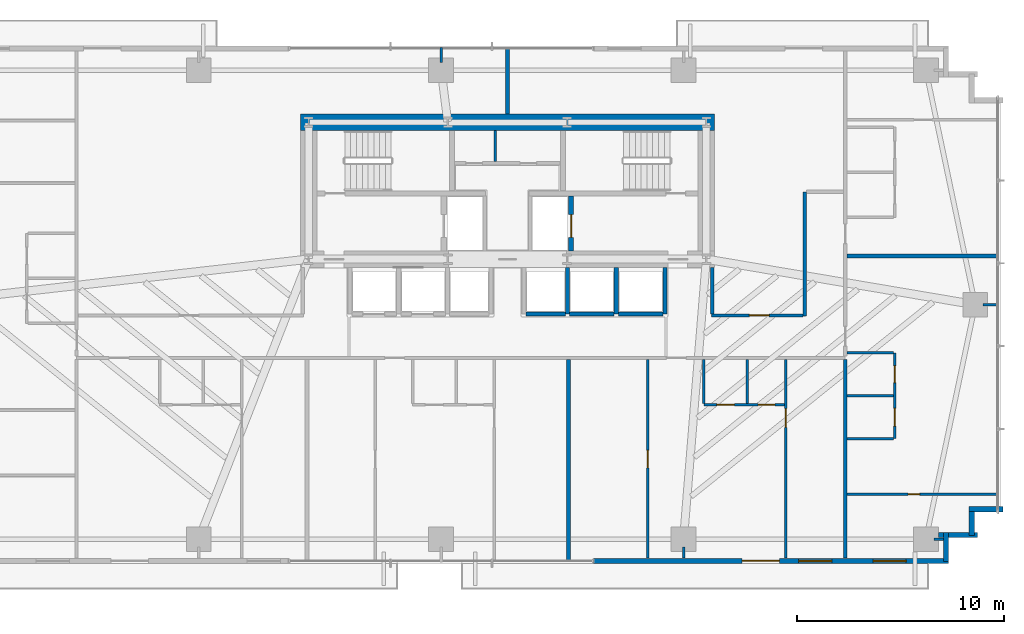
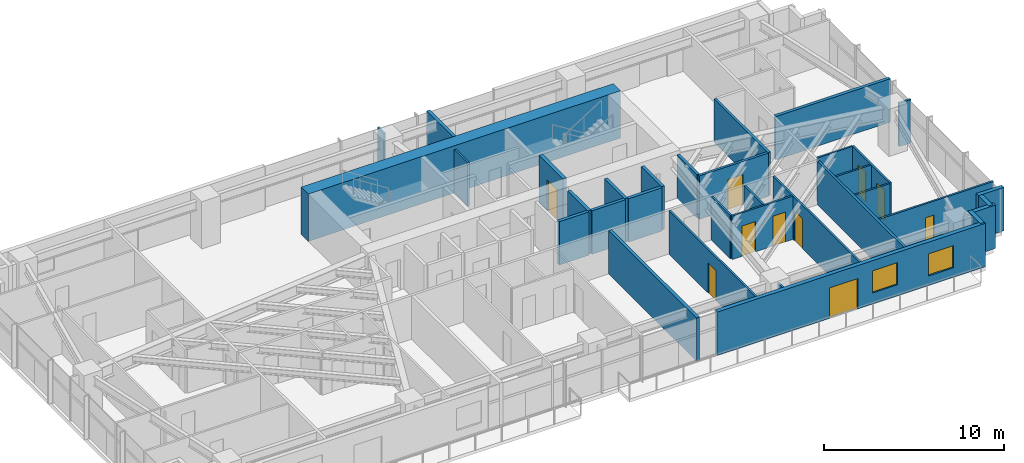
# One storey, part 21 of 25: 35 walls, 10 doors, 2 windows, 12 openings.
"""IFC4 building model written with IfcOpenShell, lengths in metres."""

from ifc_helpers import new_model, si_unit, direction, frame, frame_2d, origin, place, context, subcontext, project, spatial, rectangle, extrude, source, transform, mapped, material, layer, layer_set, type_object, type_shapes, element, fill, save


model = new_model("IFC4")

# Units and contexts
model_context = context("Model", 3, precision=1e-05, world=origin(), true_north=direction((0.0, 1.0)))
body_context = subcontext(model_context, "Body", "Model", "MODEL_VIEW")
ifc_project = project(units=[si_unit("LENGTHUNIT", "METRE"), si_unit("AREAUNIT", "SQUARE_METRE"), si_unit("VOLUMEUNIT", "CUBIC_METRE"), si_unit("PLANEANGLEUNIT", "RADIAN"), si_unit("MASSUNIT", "GRAM", prefix="KILO")], contexts=[model_context])

# Site, building, storey
site_placement = place(None, origin())
site = spatial("IfcSite", under=ifc_project, at=site_placement, CompositionType="ELEMENT")
building_placement = place(site_placement, origin())
building = spatial("IfcBuilding", under=site, at=building_placement, Name="Astriad Promenade Condominiums", CompositionType="ELEMENT")
storey_placement = place(building_placement, frame((0.0, 0.0, 45.39990234375)))
storey = spatial("IfcBuildingStorey", under=building, at=storey_placement, Name="L12", CompositionType="ELEMENT", Elevation=45.39990234375)

# Wall
ifc_material_1 = material(Name="Concrete C80/95", Category="concrete")
ifc_layer_1 = layer(ifc_material_1, 0.800048828125)
ifc_layer_set_1 = layer_set([ifc_layer_1], Name="Concrete C80/95")
wall_type_1 = type_object("IfcWallType", Name="CW-SHEAR-800", PredefinedType="SHEAR", material=ifc_layer_set_1)
wall_1_placement = place(storey_placement, frame((26.0, 24.0, 0.0), z_axis=(0.0, 0.0, 1.0), x_axis=(1.0, 0.0, 0.0)))
element("IfcWall", 1, at=wall_1_placement, inside=storey, type_object=wall_type_1, Name="CW-CORE-N-L12", PredefinedType="SHEAR", context=body_context, shape_type="SweptSolid", body=[
    extrude(rectangle(XDim=20.0, YDim=0.800048828125, at=frame_2d((10.0, 0.0))), origin(), (0.0, 0.0, 1.0), 3.2001953125),
])

# Wall, opening, door
ifc_material_2 = material(Name="Concrete C50/60", Category="concrete")
ifc_layer_2 = layer(ifc_material_2, 0.25)
ifc_layer_set_2 = layer_set([ifc_layer_2], Name="Concrete C50/60")
wall_type_2 = type_object("IfcWallType", Name="WALL-CORE-INT-250", PredefinedType="SOLIDWALL", material=ifc_layer_set_2)
wall_2_placement = place(storey_placement, frame((39.074951171875, 17.802001953125, 0.0), z_axis=(0.0, 0.0, 1.0), x_axis=(0.0, 1.0, 0.0)))
wall_2 = element("IfcWall", 2, at=wall_2_placement, inside=storey, type_object=wall_type_2, Name="CW-FFL2-E-L12", PredefinedType="SOLIDWALL", context=body_context, shape_type="SweptSolid", body=[
    extrude(rectangle(XDim=2.64599609375, YDim=0.25, at=frame_2d((1.322998046875, 0.0))), origin(), (0.0, 0.0, 1.0), 3.2001953125),
])
opening_1_placement = place(wall_2_placement, frame((0.64794921875, 0.0, 0.0)))
opening_1 = element("IfcOpeningElement", 3, at=opening_1_placement, cuts=wall_2, Name="Opening LD-FFL-1122", PredefinedType="OPENING", context=body_context, shape_type="SweptSolid", body=[
    extrude(rectangle(XDim=1.10009765625, YDim=2.080078125, at=frame_2d((0.550048828125, 1.0400390625))), frame((0.0, 0.135009765625, 0.0), z_axis=(0.0, -1.0, 0.0), x_axis=(1.0, 0.0, 0.0)), (0.0, 0.0, 1.0), 0.27001953125),
])
ifc_material_3 = material(Name="Brushed Stainless Steel Fire Elevator Landing Door", Category="steel")
door_type_1 = type_object("IfcDoorType", Name="LD-FFL-1122", OperationType="NOTDEFINED", PredefinedType="DOOR", material=ifc_material_3)
shared_shape_1 = source(origin(), body_context, "Body", "SweptSolid", [
    extrude(rectangle(XDim=1.10009765625, YDim=2.080078125, at=frame_2d((0.550048828125, 1.0400390625))), frame((0.0, 0.02490234375, 0.0), z_axis=(0.0, -1.0, 0.0), x_axis=(1.0, 0.0, 0.0)), (0.0, 0.0, 1.0), 0.050048828125),
])
type_shapes(door_type_1, [shared_shape_1])
door_1_placement = place(opening_1_placement, origin())
door_1 = element("IfcDoor", 4, at=door_1_placement, inside=storey, type_object=door_type_1, Name="Elevator Landing Door FFL-2 (L12)", OperationType="SLIDING_TO_RIGHT", OverallHeight=2.080078125, OverallWidth=1.10009765625, PredefinedType="DOOR", context=body_context, shape_type="MappedRepresentation", body=[
    mapped(shared_shape_1, transform((0.0, 0.0, 0.0), scale=1.0)),
])
fill(opening_1, door_1)

# Walls
ifc_material_4 = material(Name="Fire-Rated Gypsum Partition")
ifc_layer_3 = layer(ifc_material_4, 0.159912109375)
ifc_layer_set_3 = layer_set([ifc_layer_3], Name="Fire-Rated Gypsum Partition")
wall_type_3 = type_object("IfcWallType", Name="WALL-CORR-160", PredefinedType="PARTITIONING", material=ifc_layer_set_3)
wall_3_placement = place(storey_placement, frame((52.300048828125, 2.9619140625, 0.0), z_axis=(0.0, 0.0, 1.0), x_axis=(0.0, 1.0, 0.0)))
element("IfcWall", 5, at=wall_3_placement, inside=storey, type_object=wall_type_3, Name="PT-COR-E-L12", PredefinedType="PARTITIONING", context=body_context, shape_type="SweptSolid", body=[
    extrude(rectangle(XDim=9.586181640625, YDim=0.159912109375, at=frame_2d((4.79296875, 0.0))), origin(), (0.0, 0.0, 1.0), 2.940185546875),
])
wall_4_placement = place(storey_placement, frame((50.35009765625, 14.659912109375, 0.0), z_axis=(0.0, 0.0, 1.0), x_axis=(0.0, 1.0, 0.0)))
element("IfcWall", 6, at=wall_4_placement, inside=storey, type_object=wall_type_3, Name="PT-EALC-W-L12", PredefinedType="PARTITIONING", context=body_context, shape_type="SweptSolid", body=[
    extrude(rectangle(XDim=5.989990234375, YDim=0.159912109375, at=frame_2d((2.9951171875, 0.0))), origin(), (0.0, 0.0, 1.0), 2.940185546875),
])

# Wall, opening, door
wall_5_placement = place(storey_placement, frame((45.840087890625, 14.679931640625, 0.0), z_axis=(0.0, 0.0, 1.0), x_axis=(1.0, 0.0, 0.0)))
wall_5 = element("IfcWall", 7, at=wall_5_placement, inside=storey, type_object=wall_type_3, Name="PT-FLK-NE-L12", PredefinedType="PARTITIONING", context=body_context, shape_type="SweptSolid", body=[
    extrude(rectangle(XDim=4.427978515625, YDim=0.159912109375, at=frame_2d((2.2138671875, 0.0))), origin(), (0.0, 0.0, 1.0), 2.940185546875),
])
opening_2_placement = place(wall_5_placement, frame((1.840087890625, 0.0, 0.0)))
opening_2 = element("IfcOpeningElement", 8, at=opening_2_placement, cuts=wall_5, Name="Opening FD60-APT-095", PredefinedType="OPENING", context=body_context, shape_type="SweptSolid", body=[
    extrude(rectangle(XDim=0.949951171875, YDim=2.06005859375, at=frame_2d((0.47509765625, 1.030029296875))), frame((0.0, 0.08984375, 0.0), z_axis=(0.0, -1.0, 0.0), x_axis=(1.0, 0.0, 0.0)), (0.0, 0.0, 1.0), 0.179931640625),
])
ifc_material_5 = material(Name="Solid-Core Acoustic Timber Residence Entry Door", Category="wood")
door_type_2 = type_object("IfcDoorType", Name="FD60-APT-095", OperationType="NOTDEFINED", PredefinedType="DOOR", material=ifc_material_5)
shared_shape_2 = source(origin(), body_context, "Body", "SweptSolid", [
    extrude(rectangle(XDim=0.949951171875, YDim=2.06005859375, at=frame_2d((0.47509765625, 1.030029296875))), frame((0.0, 0.02490234375, 0.0), z_axis=(0.0, -1.0, 0.0), x_axis=(1.0, 0.0, 0.0)), (0.0, 0.0, 1.0), 0.050048828125),
])
type_shapes(door_type_2, [shared_shape_2])
door_2_placement = place(opening_2_placement, origin())
door_2 = element("IfcDoor", 9, at=door_2_placement, inside=storey, type_object=door_type_2, Name="D-NEA-L12", OperationType="SINGLE_SWING_RIGHT", OverallHeight=2.06005859375, OverallWidth=0.949951171875, PredefinedType="DOOR", context=body_context, shape_type="MappedRepresentation", body=[
    mapped(shared_shape_2, transform((0.0, 0.0, 0.0), scale=1.0)),
])
fill(opening_2, door_2)

# Walls
wall_6_placement = place(storey_placement, frame((45.8798828125, 14.761962890625, 0.0), z_axis=(0.0, 0.0, 1.0), x_axis=(0.0, 1.0, 0.0)))
element("IfcWall", 10, at=wall_6_placement, inside=storey, type_object=wall_type_3, Name="PT-ESPUR-E-L12", PredefinedType="PARTITIONING", context=body_context, shape_type="SweptSolid", body=[
    extrude(rectangle(XDim=2.236083984375, YDim=0.159912109375, at=frame_2d((1.1181640625, 0.0))), origin(), (0.0, 0.0, 1.0), 2.940185546875),
])
ifc_material_6 = material(Name="Acoustic Double-Stud Gypsum Partition")
ifc_layer_4 = layer(ifc_material_6, 0.199951171875)
ifc_layer_set_4 = layer_set([ifc_layer_4], Name="Acoustic Double-Stud Gypsum Partition")
wall_type_4 = type_object("IfcWallType", Name="WALL-DEMISING-200", PredefinedType="PARTITIONING", material=ifc_layer_set_4)
wall_7_placement = place(storey_placement, frame((36.0, 24.402099609375, 0.0), z_axis=(0.0, 0.0, 1.0), x_axis=(0.0, 1.0, 0.0)))
element("IfcWall", 11, at=wall_7_placement, inside=storey, type_object=wall_type_4, Name="PT-NC-MID-L12", PredefinedType="PARTITIONING", context=body_context, shape_type="SweptSolid", body=[
    extrude(rectangle(XDim=3.218017578125, YDim=0.199951171875, at=frame_2d((1.60888671875, 0.0))), origin(), (0.0, 0.0, 1.0), 2.940185546875),
])
wall_8_placement = place(storey_placement, frame((38.944091796875, 2.780029296875, 0.0), z_axis=(0.0, 0.0, 1.0), x_axis=(0.0, 1.0, 0.0)))
element("IfcWall", 12, at=wall_8_placement, inside=storey, type_object=wall_type_4, Name="PT-DEM-S2-L12", PredefinedType="PARTITIONING", context=body_context, shape_type="SweptSolid", body=[
    extrude(rectangle(XDim=9.76806640625, YDim=0.199951171875, at=frame_2d((4.884033203125, 0.0))), origin(), (0.0, 0.0, 1.0), 2.940185546875),
])
wall_9_placement = place(storey_placement, frame((52.382080078125, 17.550048828125, 0.0), z_axis=(0.0, 0.0, 1.0), x_axis=(1.0, 0.0, 0.0)))
element("IfcWall", 13, at=wall_9_placement, inside=storey, type_object=wall_type_4, Name="PT-DEM-EE-L12", PredefinedType="PARTITIONING", context=body_context, shape_type="SweptSolid", body=[
    extrude(rectangle(XDim=7.337890625, YDim=0.199951171875, at=frame_2d((3.6689453125, 0.0))), origin(), (0.0, 0.0, 1.0), 2.940185546875),
])
ifc_material_7 = material(Name="Precast concrete C50/60", Category="concrete")
ifc_layer_5 = layer(ifc_material_7, 0.260009765625)
ifc_layer_set_5 = layer_set([ifc_layer_5], Name="Precast concrete C50/60")
wall_type_5 = type_object("IfcWallType", Name="WALL-EXT-TWR-260", PredefinedType="STANDARD", material=ifc_layer_set_5)
wall_10_placement = place(storey_placement, frame((59.929931640625, 5.330078125, 0.0), z_axis=(0.0, 0.0, 1.0), x_axis=(-1.0, 0.0, 0.0)))
element("IfcWall", 14, at=wall_10_placement, inside=storey, type_object=wall_type_5, Name="W-SER-L12-14", PredefinedType="STANDARD", context=body_context, shape_type="SweptSolid", body=[
    extrude(rectangle(XDim=1.639892578125, YDim=0.260009765625, at=frame_2d((0.81982421875, 0.0))), origin(), (0.0, 0.0, 1.0), 2.940185546875),
])
wall_11_placement = place(storey_placement, frame((58.419921875, 5.215087890625, 0.0), z_axis=(0.0, 0.0, 1.0), x_axis=(0.0, -1.0, 0.0)))
element("IfcWall", 15, at=wall_11_placement, inside=storey, type_object=wall_type_5, Name="W-SER-L12-15", PredefinedType="STANDARD", context=body_context, shape_type="SweptSolid", body=[
    extrude(rectangle(XDim=1.150146484375, YDim=0.260009765625, at=frame_2d((0.5751953125, 0.0))), origin(), (0.0, 0.0, 1.0), 2.940185546875),
])
wall_12_placement = place(storey_placement, frame((58.679931640625, 4.080078125, 0.0), z_axis=(0.0, 0.0, 1.0), x_axis=(-1.0, 0.0, 0.0)))
element("IfcWall", 16, at=wall_12_placement, inside=storey, type_object=wall_type_5, Name="W-SER-L12-16", PredefinedType="STANDARD", context=body_context, shape_type="SweptSolid", body=[
    extrude(rectangle(XDim=1.8779296875, YDim=0.260009765625, at=frame_2d((0.93896484375, 0.0))), origin(), (0.0, 0.0, 1.0), 2.940185546875),
])
wall_13_placement = place(storey_placement, frame((57.169921875, 4.2099609375, 0.0), z_axis=(0.0, 0.0, 1.0), x_axis=(0.0, -1.0, 0.0)))
element("IfcWall", 17, at=wall_13_placement, inside=storey, type_object=wall_type_5, Name="W-SER-L12-17", PredefinedType="STANDARD", context=body_context, shape_type="SweptSolid", body=[
    extrude(rectangle(XDim=1.39501953125, YDim=0.260009765625, at=frame_2d((0.697509765625, 0.0))), origin(), (0.0, 0.0, 1.0), 2.940185546875),
])

# Wall, openings, door, windows
wall_14_placement = place(storey_placement, frame((57.300048828125, 2.830078125, 0.0), z_axis=(0.0, 0.0, 1.0), x_axis=(-1.0, 0.0, 0.0)))
wall_14 = element("IfcWall", 18, at=wall_14_placement, inside=storey, type_object=wall_type_5, Name="W-EXT-L12-S1", PredefinedType="STANDARD", context=body_context, shape_type="SweptSolid", body=[
    extrude(rectangle(XDim=17.150146484375, YDim=0.260009765625, at=frame_2d((8.5751953125, 0.0))), origin(), (0.0, 0.0, 1.0), 2.940185546875),
])
opening_3_placement = place(wall_14_placement, frame((8.177001953125, 0.0, 0.0)))
opening_3 = element("IfcOpeningElement", 19, at=opening_3_placement, cuts=wall_14, Name="Opening BD-1822-SLD", PredefinedType="OPENING", context=body_context, shape_type="SweptSolid", body=[
    extrude(rectangle(XDim=1.800048828125, YDim=2.06005859375, at=frame_2d((0.89990234375, 1.030029296875))), frame((0.0, 0.139892578125, 0.0), z_axis=(0.0, -1.0, 0.0), x_axis=(1.0, 0.0, 0.0)), (0.0, 0.0, 1.0), 0.280029296875),
])
opening_4_placement = place(wall_14_placement, frame((2.050048828125, 0.0, 0.64990234375)))
opening_4 = element("IfcOpeningElement", 20, at=opening_4_placement, cuts=wall_14, Name="Opening WIN-TWR-1620", PredefinedType="OPENING", context=body_context, shape_type="SweptSolid", body=[
    extrude(rectangle(XDim=1.60009765625, YDim=1.5, at=frame_2d((0.800048828125, 0.75))), frame((0.0, 0.139892578125, 0.0), z_axis=(0.0, -1.0, 0.0), x_axis=(1.0, 0.0, 0.0)), (0.0, 0.0, 1.0), 0.280029296875),
])
opening_5_placement = place(wall_14_placement, frame((5.64404296875, 0.0, 0.75)))
opening_5 = element("IfcOpeningElement", 21, at=opening_5_placement, cuts=wall_14, Name="Opening WIN-TWR-1620", PredefinedType="OPENING", context=body_context, shape_type="SweptSolid", body=[
    extrude(rectangle(XDim=1.60009765625, YDim=1.5, at=frame_2d((0.800048828125, 0.75))), frame((0.0, 0.139892578125, 0.0), z_axis=(0.0, -1.0, 0.0), x_axis=(1.0, 0.0, 0.0)), (0.0, 0.0, 1.0), 0.280029296875),
])
ifc_material_8 = material(Name="Thermally Broken Aluminium Sliding Balcony Door", Category="aluminium")
door_type_3 = type_object("IfcDoorType", Name="BD-1822-SLD", OperationType="NOTDEFINED", PredefinedType="DOOR", material=ifc_material_8)
shared_shape_3 = source(origin(), body_context, "Body", "SweptSolid", [
    extrude(rectangle(XDim=1.800048828125, YDim=2.06005859375, at=frame_2d((0.89990234375, 1.030029296875))), frame((0.0, 0.02490234375, 0.0), z_axis=(0.0, -1.0, 0.0), x_axis=(1.0, 0.0, 0.0)), (0.0, 0.0, 1.0), 0.050048828125),
])
type_shapes(door_type_3, [shared_shape_3])
door_3_placement = place(opening_3_placement, origin())
door_3 = element("IfcDoor", 22, at=door_3_placement, inside=storey, type_object=door_type_3, Name="BD-L12-SE", OperationType="SLIDING_TO_RIGHT", OverallHeight=2.06005859375, OverallWidth=1.800048828125, PredefinedType="DOOR", context=body_context, shape_type="MappedRepresentation", body=[
    mapped(shared_shape_3, transform((0.0, 0.0, 0.0), scale=1.0)),
])
fill(opening_3, door_3)
ifc_material_9 = material(Name="Dark Tinted Triple-Glazed Aluminium Window", Category="aluminium")
window_type = type_object("IfcWindowType", Name="WIN-TWR-1620", PartitioningType="SINGLE_PANEL", PredefinedType="WINDOW", material=ifc_material_9)
shared_shape_4 = source(origin(), body_context, "Body", "SweptSolid", [
    extrude(rectangle(XDim=1.60009765625, YDim=1.5, at=frame_2d((0.800048828125, 0.75))), frame((0.0, 0.030029296875, 0.0), z_axis=(0.0, -1.0, 0.0), x_axis=(1.0, 0.0, 0.0)), (0.0, 0.0, 1.0), 0.06005859375),
])
type_shapes(window_type, [shared_shape_4])
window_1_placement = place(opening_4_placement, origin())
window_1 = element("IfcWindow", 23, at=window_1_placement, inside=storey, type_object=window_type, Name="WIN-L12-SE", OverallHeight=1.5, OverallWidth=1.60009765625, PartitioningType="SINGLE_PANEL", PredefinedType="WINDOW", context=body_context, shape_type="MappedRepresentation", body=[
    mapped(shared_shape_4, transform((0.0, 0.0, 0.0), scale=1.0)),
])
fill(opening_4, window_1)
window_2_placement = place(opening_5_placement, origin())
window_2 = element("IfcWindow", 24, at=window_2_placement, inside=storey, type_object=window_type, Name="WIN-DW-L12-S3-BD1", OverallHeight=1.5, OverallWidth=1.60009765625, PartitioningType="SINGLE_PANEL", PredefinedType="WINDOW", context=body_context, shape_type="MappedRepresentation", body=[
    mapped(shared_shape_4, transform((0.0, 0.0, 0.0), scale=1.0)),
])
fill(opening_5, window_2)

# Wall
ifc_material_10 = material(Name="Acoustic Metal-Stud Gypsum Partition")
ifc_layer_6 = layer(ifc_material_10, 0.1201171875)
ifc_layer_set_6 = layer_set([ifc_layer_6], Name="Acoustic Metal-Stud Gypsum Partition")
wall_type_6 = type_object("IfcWallType", Name="WALL-PART-120", PredefinedType="PARTITIONING", material=ifc_layer_set_6)
wall_15_placement = place(storey_placement, frame((35.39990234375, 22.112060546875, 0.0), z_axis=(0.0, 0.0, 1.0), x_axis=(0.0, 1.0, 0.0)))
element("IfcWall", 25, at=wall_15_placement, inside=storey, type_object=wall_type_6, Name="CW-AUX-V1-L12", PredefinedType="PARTITIONING", context=body_context, shape_type="SweptSolid", body=[
    extrude(rectangle(XDim=1.48583984375, YDim=0.1201171875, at=frame_2d((0.742919921875, 0.0))), origin(), (0.0, 0.0, 1.0), 2.940185546875),
])

# Wall, opening, door
wall_16_placement = place(storey_placement, frame((49.430908203125, 2.9619140625, 0.0), z_axis=(0.0, 0.0, 1.0), x_axis=(0.0, 1.0, 0.0)))
wall_16 = element("IfcWall", 26, at=wall_16_placement, inside=storey, type_object=wall_type_6, Name="PT-L12-S3-BD1", PredefinedType="PARTITIONING", context=body_context, shape_type="SweptSolid", body=[
    extrude(rectangle(XDim=9.586181640625, YDim=0.1201171875, at=frame_2d((4.79296875, 0.0))), origin(), (0.0, 0.0, 1.0), 2.940185546875),
])
opening_6_placement = place(wall_16_placement, frame((6.318115234375, 0.0, 0.0)))
opening_6 = element("IfcOpeningElement", 27, at=opening_6_placement, cuts=wall_16, Name="Opening D-INT-090", PredefinedType="OPENING", context=body_context, shape_type="SweptSolid", body=[
    extrude(rectangle(XDim=0.89990234375, YDim=2.050048828125, at=frame_2d((0.449951171875, 1.02490234375))), frame((0.0, 0.070068359375, 0.0), z_axis=(0.0, -1.0, 0.0), x_axis=(1.0, 0.0, 0.0)), (0.0, 0.0, 1.0), 0.14013671875),
])
ifc_material_11 = material(Name="Painted Solid-Core Timber Bedroom Door", Category="wood")
door_type_4 = type_object("IfcDoorType", Name="D-INT-090", OperationType="NOTDEFINED", PredefinedType="DOOR", material=ifc_material_11)
shared_shape_5 = source(origin(), body_context, "Body", "SweptSolid", [
    extrude(rectangle(XDim=0.89990234375, YDim=2.050048828125, at=frame_2d((0.449951171875, 1.02490234375))), frame((0.0, 0.02490234375, 0.0), z_axis=(0.0, -1.0, 0.0), x_axis=(1.0, 0.0, 0.0)), (0.0, 0.0, 1.0), 0.050048828125),
])
type_shapes(door_type_4, [shared_shape_5])
door_4_placement = place(opening_6_placement, origin())
door_4 = element("IfcDoor", 28, at=door_4_placement, inside=storey, type_object=door_type_4, Name="D-BD1-L12-S3", OperationType="SINGLE_SWING_RIGHT", OverallHeight=2.050048828125, OverallWidth=0.89990234375, PredefinedType="DOOR", context=body_context, shape_type="MappedRepresentation", body=[
    mapped(shared_shape_5, transform((0.0, 0.0, 0.0), scale=1.0)),
])
fill(opening_6, door_4)

# Wall, openings, doors
wall_17_placement = place(storey_placement, frame((45.48095703125, 10.3798828125, 0.0), z_axis=(0.0, 0.0, 1.0), x_axis=(1.0, 0.0, 0.0)))
wall_17 = element("IfcWall", 29, at=wall_17_placement, inside=storey, type_object=wall_type_6, Name="PT-L12-S3-PS", PredefinedType="PARTITIONING", context=body_context, shape_type="SweptSolid", body=[
    extrude(rectangle(XDim=3.887939453125, YDim=0.1201171875, at=frame_2d((1.94384765625, 0.0))), origin(), (0.0, 0.0, 1.0), 2.940185546875),
])
opening_7_placement = place(wall_17_placement, frame((0.625, 0.0, 0.0)))
opening_7 = element("IfcOpeningElement", 30, at=opening_7_placement, cuts=wall_17, Name="Opening D-INT-085", PredefinedType="OPENING", context=body_context, shape_type="SweptSolid", body=[
    extrude(rectangle(XDim=0.85009765625, YDim=2.050048828125, at=frame_2d((0.425048828125, 1.02490234375))), frame((0.0, 0.070068359375, 0.0), z_axis=(0.0, -1.0, 0.0), x_axis=(1.0, 0.0, 0.0)), (0.0, 0.0, 1.0), 0.14013671875),
])
opening_8_placement = place(wall_17_placement, frame((2.625, 0.0, 0.0)))
opening_8 = element("IfcOpeningElement", 31, at=opening_8_placement, cuts=wall_17, Name="Opening D-WET-080", PredefinedType="OPENING", context=body_context, shape_type="SweptSolid", body=[
    extrude(rectangle(XDim=0.800048828125, YDim=2.02001953125, at=frame_2d((0.39990234375, 1.010009765625))), frame((0.0, 0.070068359375, 0.0), z_axis=(0.0, -1.0, 0.0), x_axis=(1.0, 0.0, 0.0)), (0.0, 0.0, 1.0), 0.14013671875),
])
ifc_material_12 = material(Name="Moisture-Resistant Timber Bathroom Door", Category="wood")
door_type_5 = type_object("IfcDoorType", Name="D-WET-080", OperationType="NOTDEFINED", PredefinedType="DOOR", material=ifc_material_12)
shared_shape_6 = source(origin(), body_context, "Body", "SweptSolid", [
    extrude(rectangle(XDim=0.800048828125, YDim=2.02001953125, at=frame_2d((0.39990234375, 1.010009765625))), frame((0.0, 0.02490234375, 0.0), z_axis=(0.0, -1.0, 0.0), x_axis=(1.0, 0.0, 0.0)), (0.0, 0.0, 1.0), 0.050048828125),
])
type_shapes(door_type_5, [shared_shape_6])
door_5_placement = place(opening_8_placement, origin())
door_5 = element("IfcDoor", 32, at=door_5_placement, inside=storey, type_object=door_type_5, Name="D-BTH-L12-S3", OperationType="SINGLE_SWING_RIGHT", OverallHeight=2.02001953125, OverallWidth=0.800048828125, PredefinedType="DOOR", context=body_context, shape_type="MappedRepresentation", body=[
    mapped(shared_shape_6, transform((0.0, 0.0, 0.0), scale=1.0)),
])
fill(opening_8, door_5)
ifc_material_13 = material(Name="Painted Solid-Core Timber Room Door", Category="wood")
door_type_6 = type_object("IfcDoorType", Name="D-INT-085", OperationType="NOTDEFINED", PredefinedType="DOOR", material=ifc_material_13)
shared_shape_7 = source(origin(), body_context, "Body", "SweptSolid", [
    extrude(rectangle(XDim=0.85009765625, YDim=2.050048828125, at=frame_2d((0.425048828125, 1.02490234375))), frame((0.0, 0.02490234375, 0.0), z_axis=(0.0, -1.0, 0.0), x_axis=(1.0, 0.0, 0.0)), (0.0, 0.0, 1.0), 0.050048828125),
])
type_shapes(door_type_6, [shared_shape_7])
door_6_placement = place(opening_7_placement, origin())
door_6 = element("IfcDoor", 33, at=door_6_placement, inside=storey, type_object=door_type_6, Name="D-KIT-L12-S3", OperationType="SINGLE_SWING_LEFT", OverallHeight=2.050048828125, OverallWidth=0.85009765625, PredefinedType="DOOR", context=body_context, shape_type="MappedRepresentation", body=[
    mapped(shared_shape_7, transform((0.0, 0.0, 0.0), scale=1.0)),
])
fill(opening_7, door_6)

# Walls
for number, where, z_axis, x_axis, name in (
    (34, (47.5810546875, 10.44189453125, 0.0), (0.0, 0.0, 1.0), (0.0, 1.0, 0.0), "PT-L12-S3-PBK"),
    (35, (45.48095703125, 10.44189453125, 0.0), (0.0, 0.0, 1.0), (0.0, 1.0, 0.0), "PT-L12-S3-PKW"),
):
    element("IfcWall", number, at=place(storey_placement, frame(where, z_axis=z_axis, x_axis=x_axis)), inside=storey, type_object=wall_type_6, Name=name, PredefinedType="PARTITIONING", context=body_context, shape_type="SweptSolid", body=[
        extrude(rectangle(XDim=2.106201171875, YDim=0.1201171875, at=frame_2d((1.05322265625, 0.0))), origin(), (0.0, 0.0, 1.0), 2.940185546875),
    ])

# Wall, opening, door
wall_18_placement = place(storey_placement, frame((42.761962890625, 2.9619140625, 0.0), z_axis=(0.0, 0.0, 1.0), x_axis=(0.0, 1.0, 0.0)))
wall_18 = element("IfcWall", 36, at=wall_18_placement, inside=storey, type_object=wall_type_6, Name="PT-L12-S3-CAP1", PredefinedType="PARTITIONING", context=body_context, shape_type="SweptSolid", body=[
    extrude(rectangle(XDim=9.586181640625, YDim=0.1201171875, at=frame_2d((4.79296875, 0.0))), origin(), (0.0, 0.0, 1.0), 2.940185546875),
])
opening_9_placement = place(wall_18_placement, frame((4.35791015625, 0.0, 0.0)))
opening_9 = element("IfcOpeningElement", 37, at=opening_9_placement, cuts=wall_18, Name="Opening D-INT-085", PredefinedType="OPENING", context=body_context, shape_type="SweptSolid", body=[
    extrude(rectangle(XDim=0.85009765625, YDim=2.050048828125, at=frame_2d((0.425048828125, 1.02490234375))), frame((0.0, 0.070068359375, 0.0), z_axis=(0.0, -1.0, 0.0), x_axis=(1.0, 0.0, 0.0)), (0.0, 0.0, 1.0), 0.14013671875),
])
door_7_placement = place(opening_9_placement, origin())
door_7 = element("IfcDoor", 38, at=door_7_placement, inside=storey, type_object=door_type_6, Name="D-CAP1-L12-S3", OperationType="SINGLE_SWING_RIGHT", OverallHeight=2.050048828125, OverallWidth=0.85009765625, PredefinedType="DOOR", context=body_context, shape_type="MappedRepresentation", body=[
    mapped(shared_shape_7, transform((0.0, 0.0, 0.0), scale=1.0)),
])
fill(opening_9, door_7)

# Wall, openings, doors
wall_19_placement = place(storey_placement, frame((54.699951171875, 8.72998046875, 0.0), z_axis=(0.0, 0.0, 1.0), x_axis=(0.0, 1.0, 0.0)))
wall_19 = element("IfcWall", 39, at=wall_19_placement, inside=storey, type_object=wall_type_6, Name="PT-L12-E1-PV", PredefinedType="PARTITIONING", context=body_context, shape_type="SweptSolid", body=[
    extrude(rectangle(XDim=4.14990234375, YDim=0.1201171875, at=frame_2d((2.074951171875, 0.0))), origin(), (0.0, 0.0, 1.0), 2.940185546875),
])
opening_10_placement = place(wall_19_placement, frame((0.613037109375, 0.0, 0.0)))
opening_10 = element("IfcOpeningElement", 40, at=opening_10_placement, cuts=wall_19, Name="Opening D-INT-085", PredefinedType="OPENING", context=body_context, shape_type="SweptSolid", body=[
    extrude(rectangle(XDim=0.85009765625, YDim=2.050048828125, at=frame_2d((0.425048828125, 1.02490234375))), frame((0.0, 0.070068359375, 0.0), z_axis=(0.0, -1.0, 0.0), x_axis=(1.0, 0.0, 0.0)), (0.0, 0.0, 1.0), 0.14013671875),
])
opening_11_placement = place(wall_19_placement, frame((2.712890625, 0.0, 0.0)))
opening_11 = element("IfcOpeningElement", 41, at=opening_11_placement, cuts=wall_19, Name="Opening D-WET-080", PredefinedType="OPENING", context=body_context, shape_type="SweptSolid", body=[
    extrude(rectangle(XDim=0.800048828125, YDim=2.02001953125, at=frame_2d((0.39990234375, 1.010009765625))), frame((0.0, 0.070068359375, 0.0), z_axis=(0.0, -1.0, 0.0), x_axis=(1.0, 0.0, 0.0)), (0.0, 0.0, 1.0), 0.14013671875),
])
door_8_placement = place(opening_11_placement, origin())
door_8 = element("IfcDoor", 42, at=door_8_placement, inside=storey, type_object=door_type_5, Name="D-BTH-L12-E1", OperationType="SINGLE_SWING_LEFT", OverallHeight=2.02001953125, OverallWidth=0.800048828125, PredefinedType="DOOR", context=body_context, shape_type="MappedRepresentation", body=[
    mapped(shared_shape_6, transform((0.0, 0.0, 0.0), scale=1.0)),
])
fill(opening_11, door_8)
door_9_placement = place(opening_10_placement, origin())
door_9 = element("IfcDoor", 43, at=door_9_placement, inside=storey, type_object=door_type_6, Name="D-KIT-L12-E1", OperationType="SINGLE_SWING_RIGHT", OverallHeight=2.050048828125, OverallWidth=0.85009765625, PredefinedType="DOOR", context=body_context, shape_type="MappedRepresentation", body=[
    mapped(shared_shape_7, transform((0.0, 0.0, 0.0), scale=1.0)),
])
fill(opening_10, door_9)

# Walls
for number, where, z_axis, x_axis, name in (
    (44, (52.382080078125, 10.804931640625, 0.0), (0.0, 0.0, 1.0), (1.0, 0.0, 0.0), "PT-L12-E1-PM"),
    (45, (52.382080078125, 8.72998046875, 0.0), (0.0, 0.0, 1.0), (1.0, 0.0, 0.0), "PT-L12-E1-PS"),
    (46, (52.382080078125, 12.8798828125, 0.0), (0.0, 0.0, 1.0), (1.0, 0.0, 0.0), "PT-L12-E1-PN"),
):
    element("IfcWall", number, at=place(storey_placement, frame(where, z_axis=z_axis, x_axis=x_axis)), inside=storey, type_object=wall_type_6, Name=name, PredefinedType="PARTITIONING", context=body_context, shape_type="SweptSolid", body=[
        extrude(rectangle(XDim=2.255859375, YDim=0.1201171875, at=frame_2d((1.1279296875, 0.0))), origin(), (0.0, 0.0, 1.0), 2.940185546875),
    ])

# Wall, opening, door
wall_20_placement = place(storey_placement, frame((52.382080078125, 6.0439453125, 0.0), z_axis=(0.0, 0.0, 1.0), x_axis=(1.0, 0.0, 0.0)))
wall_20 = element("IfcWall", 47, at=wall_20_placement, inside=storey, type_object=wall_type_6, Name="PT-L12-E1-WDS1", PredefinedType="PARTITIONING", context=body_context, shape_type="SweptSolid", body=[
    extrude(rectangle(XDim=7.337890625, YDim=0.1201171875, at=frame_2d((3.6689453125, 0.0))), origin(), (0.0, 0.0, 1.0), 2.940185546875),
])
opening_12_placement = place(wall_20_placement, frame((2.962890625, 0.0, 0.0)))
opening_12 = element("IfcOpeningElement", 48, at=opening_12_placement, cuts=wall_20, Name="Opening D-AC-055", PredefinedType="OPENING", context=body_context, shape_type="SweptSolid", body=[
    extrude(rectangle(XDim=0.550048828125, YDim=2.0, at=frame_2d((0.27490234375, 1.0))), frame((0.0, 0.070068359375, 0.0), z_axis=(0.0, -1.0, 0.0), x_axis=(1.0, 0.0, 0.0)), (0.0, 0.0, 1.0), 0.14013671875),
])
ifc_material_14 = material(Name="Painted Timber Access Door", Category="wood")
door_type_7 = type_object("IfcDoorType", Name="D-AC-055", OperationType="NOTDEFINED", PredefinedType="DOOR", material=ifc_material_14)
shared_shape_8 = source(origin(), body_context, "Body", "SweptSolid", [
    extrude(rectangle(XDim=0.550048828125, YDim=2.0, at=frame_2d((0.27490234375, 1.0))), frame((0.0, 0.02490234375, 0.0), z_axis=(0.0, -1.0, 0.0), x_axis=(1.0, 0.0, 0.0)), (0.0, 0.0, 1.0), 0.050048828125),
])
type_shapes(door_type_7, [shared_shape_8])
door_10_placement = place(opening_12_placement, origin())
door_10 = element("IfcDoor", 49, at=door_10_placement, inside=storey, type_object=door_type_7, Name="D-WDS1-L12-E1", OperationType="SINGLE_SWING_RIGHT", OverallHeight=2.0, OverallWidth=0.550048828125, PredefinedType="DOOR", context=body_context, shape_type="MappedRepresentation", body=[
    mapped(shared_shape_8, transform((0.0, 0.0, 0.0), scale=1.0)),
])
fill(opening_12, door_10)

# Walls
wall_21_placement = place(storey_placement, frame((44.5, 3.5, 0.0), z_axis=(0.0, 0.0, 1.0), x_axis=(0.0, -1.0, 0.0)))
element("IfcWall", 50, at=wall_21_placement, inside=storey, type_object=wall_type_6, Name="PT-PIL-L12-PC04-11", PredefinedType="PARTITIONING", context=body_context, shape_type="SweptSolid", body=[
    extrude(rectangle(XDim=0.5380859375, YDim=0.1201171875, at=frame_2d((0.26904296875, 0.0))), origin(), (0.0, 0.0, 1.0), 2.940185546875),
])
wall_22_placement = place(storey_placement, frame((56.580078125, 3.8798828125, 0.0), z_axis=(0.0, 0.0, 1.0), x_axis=(1.0, 0.0, 0.0)))
element("IfcWall", 51, at=wall_22_placement, inside=storey, type_object=wall_type_6, Name="PT-PIL-L12-PC05-12", PredefinedType="PARTITIONING", context=body_context, shape_type="SweptSolid", body=[
    extrude(rectangle(XDim=0.4580078125, YDim=0.1201171875, at=frame_2d((0.22900390625, 0.0))), origin(), (0.0, 0.0, 1.0), 2.940185546875),
])
wall_23_placement = place(storey_placement, frame((32.800048828125, 26.89990234375, 0.0), z_axis=(0.0, 0.0, 1.0), x_axis=(0.0, 1.0, 0.0)))
element("IfcWall", 52, at=wall_23_placement, inside=storey, type_object=wall_type_6, Name="PT-PIL-L12-PC08-15", PredefinedType="PARTITIONING", context=body_context, shape_type="SweptSolid", body=[
    extrude(rectangle(XDim=0.72021484375, YDim=0.1201171875, at=frame_2d((0.360107421875, 0.0))), origin(), (0.0, 0.0, 1.0), 2.940185546875),
])
wall_24_placement = place(storey_placement, frame((58.9599609375, 15.199951171875, 0.0), z_axis=(0.0, 0.0, 1.0), x_axis=(1.0, 0.0, 0.0)))
element("IfcWall", 53, at=wall_24_placement, inside=storey, type_object=wall_type_6, Name="PT-PIL-L12-PC12-19", PredefinedType="PARTITIONING", context=body_context, shape_type="SweptSolid", body=[
    extrude(rectangle(XDim=0.760009765625, YDim=0.1201171875, at=frame_2d((0.3798828125, 0.0))), origin(), (0.0, 0.0, 1.0), 2.940185546875),
])
ifc_material_15 = material(Name="Gypsum Shaftliner Assembly")
ifc_layer_7 = layer(ifc_material_15, 0.199951171875)
ifc_layer_set_7 = layer_set([ifc_layer_7], Name="Gypsum Shaftliner Assembly")
wall_type_7 = type_object("IfcWallType", Name="WALL-SHAFT-200", PredefinedType="PARTITIONING", material=ifc_layer_set_7)
wall_25_placement = place(storey_placement, frame((38.89990234375, 14.75, 0.0), z_axis=(0.0, 0.0, 1.0), x_axis=(0.0, 1.0, 0.0)))
element("IfcWall", 54, at=wall_25_placement, inside=storey, type_object=wall_type_7, Name="PL-MH-DIV-L12", PredefinedType="PARTITIONING", context=body_context, shape_type="SweptSolid", body=[
    extrude(rectangle(XDim=2.248046875, YDim=0.199951171875, at=frame_2d((1.1240234375, 0.0))), origin(), (0.0, 0.0, 1.0), 2.940185546875),
])
wall_26_placement = place(storey_placement, frame((36.902099609375, 14.75, 0.0), z_axis=(0.0, 0.0, 1.0), x_axis=(1.0, 0.0, 0.0)))
element("IfcWall", 55, at=wall_26_placement, inside=storey, type_object=wall_type_7, Name="PL-M2-F-L12", PredefinedType="PARTITIONING", context=body_context, shape_type="SweptSolid", body=[
    extrude(rectangle(XDim=1.89599609375, YDim=0.199951171875, at=frame_2d((0.947998046875, 0.0))), origin(), (0.0, 0.0, 1.0), 2.940185546875),
])
for number, where, z_axis, x_axis, name in (
    (56, (41.25, 14.75, 0.0), (0.0, 0.0, 1.0), (0.0, 1.0, 0.0), "PL-H-DIV-L12"),
    (57, (43.60009765625, 14.75, 0.0), (0.0, 0.0, 1.0), (0.0, 1.0, 0.0), "PL-E-OUT-L12"),
):
    element("IfcWall", number, at=place(storey_placement, frame(where, z_axis=z_axis, x_axis=x_axis)), inside=storey, type_object=wall_type_7, Name=name, PredefinedType="PARTITIONING", context=body_context, shape_type="SweptSolid", body=[
        extrude(rectangle(XDim=2.248046875, YDim=0.199951171875, at=frame_2d((1.1240234375, 0.0))), origin(), (0.0, 0.0, 1.0), 2.940185546875),
    ])
for number, where, z_axis, x_axis, name in (
    (58, (39.001953125, 14.75, 0.0), (0.0, 0.0, 1.0), (1.0, 0.0, 0.0), "PL-H-FRT-L12"),
    (59, (41.35205078125, 14.75, 0.0), (0.0, 0.0, 1.0), (1.0, 0.0, 0.0), "PL-H-FRT-L12-S2"),
):
    element("IfcWall", number, at=place(storey_placement, frame(where, z_axis=z_axis, x_axis=x_axis)), inside=storey, type_object=wall_type_7, Name=name, PredefinedType="PARTITIONING", context=body_context, shape_type="SweptSolid", body=[
        extrude(rectangle(XDim=2.14599609375, YDim=0.199951171875, at=frame_2d((1.072998046875, 0.0))), origin(), (0.0, 0.0, 1.0), 2.940185546875),
    ])

save(model, "model.ifc")
